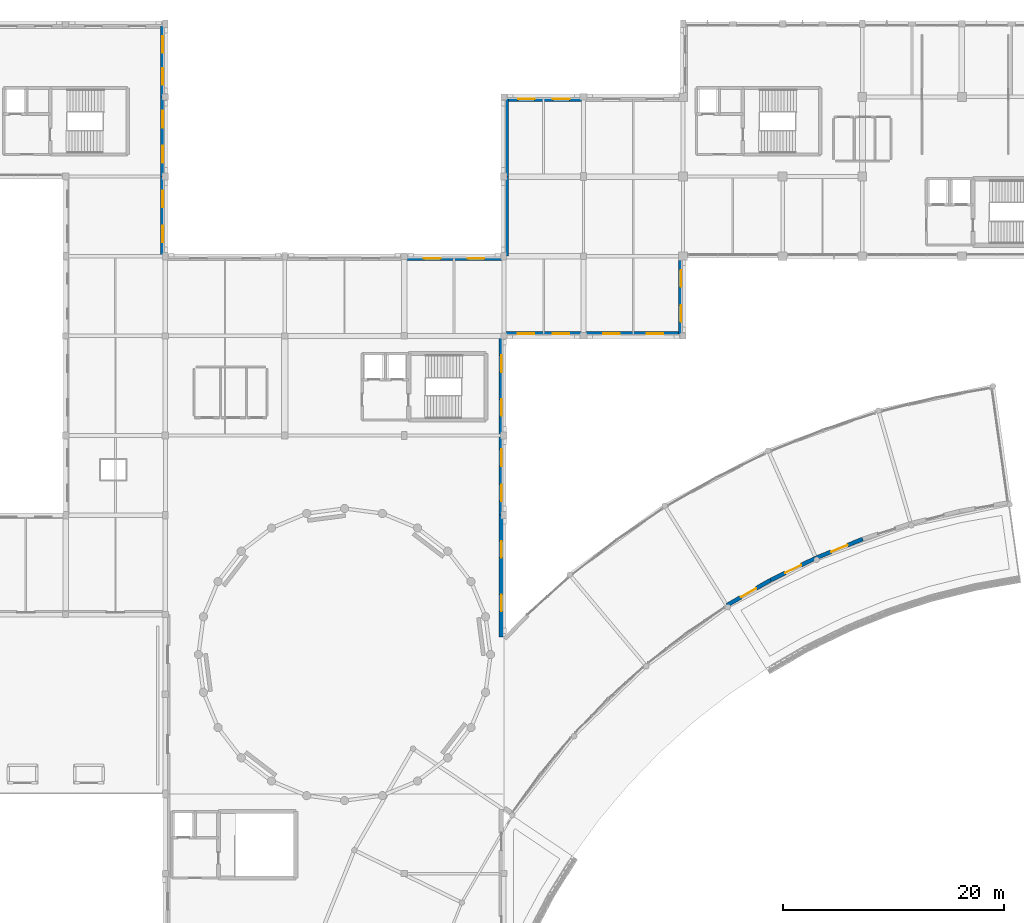
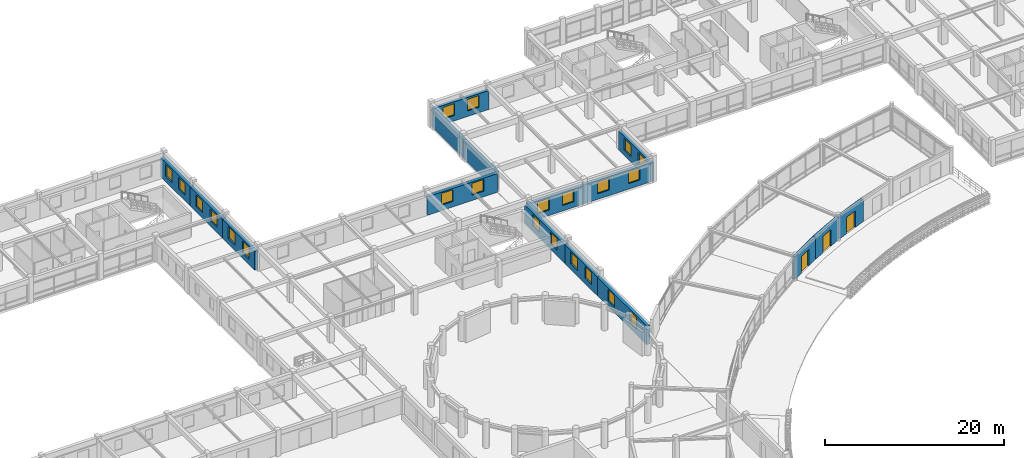
# One storey, part 56 of 74: 22 windows, 16 walls, 3 doors, 25 openings.
"""IFC4 building model written with IfcOpenShell, lengths in metres."""

from ifc_helpers import new_model, si_unit, direction, frame, frame_2d, origin, place, context, subcontext, project, spatial, rectangle, extrude, material, layer, layer_set, type_object, element, fill, save


model = new_model("IFC4")

# Units and contexts
model_context = context("Model", 3, precision=1e-05, world=origin(), true_north=direction((0.0, 1.0)))
body_context = subcontext(model_context, "Body", "Model", "MODEL_VIEW")
ifc_project = project(units=[si_unit("LENGTHUNIT", "METRE"), si_unit("AREAUNIT", "SQUARE_METRE"), si_unit("VOLUMEUNIT", "CUBIC_METRE"), si_unit("PLANEANGLEUNIT", "RADIAN"), si_unit("MASSUNIT", "GRAM", prefix="KILO")], contexts=[model_context])

# Site, building, storey
site_placement = place(None, origin())
site = spatial("IfcSite", under=ifc_project, at=site_placement, CompositionType="ELEMENT")
building_placement = place(site_placement, origin())
building = spatial("IfcBuilding", under=site, at=building_placement, Name="Clarverna Civic Hall", CompositionType="ELEMENT")
storey_placement = place(building_placement, frame((0.0, 0.0, 9.60009765625)))
storey = spatial("IfcBuildingStorey", under=building, at=storey_placement, Name="L02", CompositionType="ELEMENT", Elevation=9.60009765625)

# Wall, openings, windows
ifc_material_1 = material(Name="Montjuic Limestone Ashlar Cladding", Category="masonry")
ifc_layer_1 = layer(ifc_material_1, 0.39990234375)
ifc_layer_set_1 = layer_set([ifc_layer_1], Name="Montjuic Limestone Ashlar Cladding")
wall_type_1 = type_object("IfcWallType", Name="EW-02", PredefinedType="SOLIDWALL", material=ifc_layer_set_1)
wall_1_placement = place(storey_placement, frame((66.375, 116.0, 0.0), z_axis=(0.0, 0.0, 1.0), x_axis=(0.0, -1.0, 0.0)))
wall_1 = element("IfcWall", 1, at=wall_1_placement, inside=storey, type_object=wall_type_1, Name="EW-02-092", PredefinedType="SOLIDWALL", context=body_context, shape_type="SweptSolid", body=[
    extrude(rectangle(XDim=6.60009765625, YDim=0.39990234375, at=frame_2d((3.300048828125, 0.0))), origin(), (0.0, 0.0, 1.0), 2.599853515625),
])
opening_1_placement = place(wall_1_placement, frame((1.097900390625, 0.0, 0.75)))
opening_1 = element("IfcOpeningElement", 2, at=opening_1_placement, cuts=wall_1, Name="Opening WN-14", PredefinedType="OPENING", context=body_context, shape_type="SweptSolid", body=[
    extrude(rectangle(XDim=1.5, YDim=1.60009765625, at=frame_2d((0.75, 0.800048828125))), frame((0.0, 0.2099609375, 0.0), z_axis=(0.0, -1.0, 0.0), x_axis=(1.0, 0.0, 0.0)), (0.0, 0.0, 1.0), 0.419921875),
])
opening_2_placement = place(wall_1_placement, frame((4.001953125, 0.0, 0.75)))
opening_2 = element("IfcOpeningElement", 3, at=opening_2_placement, cuts=wall_1, Name="Opening WN-14", PredefinedType="OPENING", context=body_context, shape_type="SweptSolid", body=[
    extrude(rectangle(XDim=1.5, YDim=1.60009765625, at=frame_2d((0.75, 0.800048828125))), frame((0.0, 0.2099609375, 0.0), z_axis=(0.0, -1.0, 0.0), x_axis=(1.0, 0.0, 0.0)), (0.0, 0.0, 1.0), 0.419921875),
])
ifc_material_2 = material(Name="Solar-Control Argon Low-E Double Glazing", Category="glass")
window_type = type_object("IfcWindowType", Name="WN-14", PartitioningType="DOUBLE_PANEL_HORIZONTAL", PredefinedType="WINDOW", material=ifc_material_2)
window_1_placement = place(opening_1_placement, origin())
window_1 = element("IfcWindow", 4, at=window_1_placement, inside=storey, type_object=window_type, Name="WN-14-036", OverallHeight=1.60009765625, OverallWidth=1.5, PartitioningType="DOUBLE_PANEL_HORIZONTAL", PredefinedType="WINDOW", context=body_context, shape_type="SweptSolid", body=[
    extrude(rectangle(XDim=1.5, YDim=1.60009765625, at=frame_2d((0.75, 0.800048828125))), frame((0.0, 0.030029296875, 0.0), z_axis=(0.0, -1.0, 0.0), x_axis=(1.0, 0.0, 0.0)), (0.0, 0.0, 1.0), 0.06005859375),
])
fill(opening_1, window_1)
window_2_placement = place(opening_2_placement, origin())
window_2 = element("IfcWindow", 5, at=window_2_placement, inside=storey, type_object=window_type, Name="WN-14-037", OverallHeight=1.60009765625, OverallWidth=1.5, PartitioningType="DOUBLE_PANEL_HORIZONTAL", PredefinedType="WINDOW", context=body_context, shape_type="SweptSolid", body=[
    extrude(rectangle(XDim=1.5, YDim=1.60009765625, at=frame_2d((0.75, 0.800048828125))), frame((0.0, 0.030029296875, 0.0), z_axis=(0.0, -1.0, 0.0), x_axis=(1.0, 0.0, 0.0)), (0.0, 0.0, 1.0), 0.06005859375),
])
fill(opening_2, window_2)

wall_2_placement = place(storey_placement, frame((66.375, 109.39990234375, 0.0), z_axis=(0.0, 0.0, 1.0), x_axis=(0.0, -1.0, 0.0)))
wall_2 = element("IfcWall", 6, at=wall_2_placement, inside=storey, type_object=wall_type_1, Name="EW-02-093", PredefinedType="SOLIDWALL", context=body_context, shape_type="SweptSolid", body=[
    extrude(rectangle(XDim=7.199951171875, YDim=0.39990234375, at=frame_2d((3.60009765625, 0.0))), origin(), (0.0, 0.0, 1.0), 2.599853515625),
])
opening_3_placement = place(wall_2_placement, frame((1.26611328125, 0.0, 0.75)))
opening_3 = element("IfcOpeningElement", 7, at=opening_3_placement, cuts=wall_2, Name="Opening WN-14", PredefinedType="OPENING", context=body_context, shape_type="SweptSolid", body=[
    extrude(rectangle(XDim=1.5, YDim=1.60009765625, at=frame_2d((0.75, 0.800048828125))), frame((0.0, 0.2099609375, 0.0), z_axis=(0.0, -1.0, 0.0), x_axis=(1.0, 0.0, 0.0)), (0.0, 0.0, 1.0), 0.419921875),
])
opening_4_placement = place(wall_2_placement, frame((4.43408203125, 0.0, 0.75)))
opening_4 = element("IfcOpeningElement", 8, at=opening_4_placement, cuts=wall_2, Name="Opening WN-14", PredefinedType="OPENING", context=body_context, shape_type="SweptSolid", body=[
    extrude(rectangle(XDim=1.5, YDim=1.60009765625, at=frame_2d((0.75, 0.800048828125))), frame((0.0, 0.2099609375, 0.0), z_axis=(0.0, -1.0, 0.0), x_axis=(1.0, 0.0, 0.0)), (0.0, 0.0, 1.0), 0.419921875),
])
window_3_placement = place(opening_3_placement, origin())
window_3 = element("IfcWindow", 9, at=window_3_placement, inside=storey, type_object=window_type, Name="WN-14-038", OverallHeight=1.60009765625, OverallWidth=1.5, PartitioningType="DOUBLE_PANEL_HORIZONTAL", PredefinedType="WINDOW", context=body_context, shape_type="SweptSolid", body=[
    extrude(rectangle(XDim=1.5, YDim=1.60009765625, at=frame_2d((0.75, 0.800048828125))), frame((0.0, 0.030029296875, 0.0), z_axis=(0.0, -1.0, 0.0), x_axis=(1.0, 0.0, 0.0)), (0.0, 0.0, 1.0), 0.06005859375),
])
fill(opening_3, window_3)
window_4_placement = place(opening_4_placement, origin())
window_4 = element("IfcWindow", 10, at=window_4_placement, inside=storey, type_object=window_type, Name="WN-14-039", OverallHeight=1.60009765625, OverallWidth=1.5, PartitioningType="DOUBLE_PANEL_HORIZONTAL", PredefinedType="WINDOW", context=body_context, shape_type="SweptSolid", body=[
    extrude(rectangle(XDim=1.5, YDim=1.60009765625, at=frame_2d((0.75, 0.800048828125))), frame((0.0, 0.030029296875, 0.0), z_axis=(0.0, -1.0, 0.0), x_axis=(1.0, 0.0, 0.0)), (0.0, 0.0, 1.0), 0.06005859375),
])
fill(opening_4, window_4)

wall_3_placement = place(storey_placement, frame((66.375, 102.199951171875, 0.0), z_axis=(0.0, 0.0, 1.0), x_axis=(0.0, -1.0, 0.0)))
wall_3 = element("IfcWall", 11, at=wall_3_placement, inside=storey, type_object=wall_type_1, Name="EW-02-094", PredefinedType="SOLIDWALL", context=body_context, shape_type="SweptSolid", body=[
    extrude(rectangle(XDim=7.199951171875, YDim=0.39990234375, at=frame_2d((3.60009765625, 0.0))), origin(), (0.0, 0.0, 1.0), 2.559814453125),
])
opening_5_placement = place(wall_3_placement, frame((1.26611328125, 0.0, 0.75)))
opening_5 = element("IfcOpeningElement", 12, at=opening_5_placement, cuts=wall_3, Name="Opening WN-14", PredefinedType="OPENING", context=body_context, shape_type="SweptSolid", body=[
    extrude(rectangle(XDim=1.5, YDim=1.60009765625, at=frame_2d((0.75, 0.800048828125))), frame((0.0, 0.2099609375, 0.0), z_axis=(0.0, -1.0, 0.0), x_axis=(1.0, 0.0, 0.0)), (0.0, 0.0, 1.0), 0.419921875),
])
opening_6_placement = place(wall_3_placement, frame((4.43408203125, 0.0, 0.75)))
opening_6 = element("IfcOpeningElement", 13, at=opening_6_placement, cuts=wall_3, Name="Opening WN-14", PredefinedType="OPENING", context=body_context, shape_type="SweptSolid", body=[
    extrude(rectangle(XDim=1.5, YDim=1.60009765625, at=frame_2d((0.75, 0.800048828125))), frame((0.0, 0.2099609375, 0.0), z_axis=(0.0, -1.0, 0.0), x_axis=(1.0, 0.0, 0.0)), (0.0, 0.0, 1.0), 0.419921875),
])
window_5_placement = place(opening_5_placement, origin())
window_5 = element("IfcWindow", 14, at=window_5_placement, inside=storey, type_object=window_type, Name="WN-14-040", OverallHeight=1.60009765625, OverallWidth=1.5, PartitioningType="DOUBLE_PANEL_HORIZONTAL", PredefinedType="WINDOW", context=body_context, shape_type="SweptSolid", body=[
    extrude(rectangle(XDim=1.5, YDim=1.60009765625, at=frame_2d((0.75, 0.800048828125))), frame((0.0, 0.030029296875, 0.0), z_axis=(0.0, -1.0, 0.0), x_axis=(1.0, 0.0, 0.0)), (0.0, 0.0, 1.0), 0.06005859375),
])
fill(opening_5, window_5)
window_6_placement = place(opening_6_placement, origin())
window_6 = element("IfcWindow", 15, at=window_6_placement, inside=storey, type_object=window_type, Name="WN-14-041", OverallHeight=1.60009765625, OverallWidth=1.5, PartitioningType="DOUBLE_PANEL_HORIZONTAL", PredefinedType="WINDOW", context=body_context, shape_type="SweptSolid", body=[
    extrude(rectangle(XDim=1.5, YDim=1.60009765625, at=frame_2d((0.75, 0.800048828125))), frame((0.0, 0.030029296875, 0.0), z_axis=(0.0, -1.0, 0.0), x_axis=(1.0, 0.0, 0.0)), (0.0, 0.0, 1.0), 0.06005859375),
])
fill(opening_6, window_6)

wall_4_placement = place(storey_placement, frame((88.199951171875, 94.800048828125, 0.0), z_axis=(0.0, 0.0, 1.0), x_axis=(1.0, 0.0, 0.0)))
wall_4 = element("IfcWall", 16, at=wall_4_placement, inside=storey, type_object=wall_type_1, Name="EW-02-097", PredefinedType="SOLIDWALL", context=body_context, shape_type="SweptSolid", body=[
    extrude(rectangle(XDim=9.025146484375, YDim=0.39990234375, at=frame_2d((4.5126953125, 0.0))), origin(), (0.0, 0.0, 1.0), 2.52978515625),
])
opening_7_placement = place(wall_4_placement, frame((1.777099609375, 0.0, 0.75)))
opening_7 = element("IfcOpeningElement", 17, at=opening_7_placement, cuts=wall_4, Name="Opening WN-14", PredefinedType="OPENING", context=body_context, shape_type="SweptSolid", body=[
    extrude(rectangle(XDim=1.5, YDim=1.60009765625, at=frame_2d((0.75, 0.800048828125))), frame((0.0, 0.2099609375, 0.0), z_axis=(0.0, -1.0, 0.0), x_axis=(1.0, 0.0, 0.0)), (0.0, 0.0, 1.0), 0.419921875),
])
opening_8_placement = place(wall_4_placement, frame((5.748046875, 0.0, 0.75)))
opening_8 = element("IfcOpeningElement", 18, at=opening_8_placement, cuts=wall_4, Name="Opening WN-14", PredefinedType="OPENING", context=body_context, shape_type="SweptSolid", body=[
    extrude(rectangle(XDim=1.5, YDim=1.60009765625, at=frame_2d((0.75, 0.800048828125))), frame((0.0, 0.2099609375, 0.0), z_axis=(0.0, -1.0, 0.0), x_axis=(1.0, 0.0, 0.0)), (0.0, 0.0, 1.0), 0.419921875),
])
window_7_placement = place(opening_7_placement, origin())
window_7 = element("IfcWindow", 19, at=window_7_placement, inside=storey, type_object=window_type, Name="WN-14-046", OverallHeight=1.60009765625, OverallWidth=1.5, PartitioningType="DOUBLE_PANEL_HORIZONTAL", PredefinedType="WINDOW", context=body_context, shape_type="SweptSolid", body=[
    extrude(rectangle(XDim=1.5, YDim=1.60009765625, at=frame_2d((0.75, 0.800048828125))), frame((0.0, 0.030029296875, 0.0), z_axis=(0.0, -1.0, 0.0), x_axis=(1.0, 0.0, 0.0)), (0.0, 0.0, 1.0), 0.06005859375),
])
fill(opening_7, window_7)
window_8_placement = place(opening_8_placement, origin())
window_8 = element("IfcWindow", 20, at=window_8_placement, inside=storey, type_object=window_type, Name="WN-14-047", OverallHeight=1.60009765625, OverallWidth=1.5, PartitioningType="DOUBLE_PANEL_HORIZONTAL", PredefinedType="WINDOW", context=body_context, shape_type="SweptSolid", body=[
    extrude(rectangle(XDim=1.5, YDim=1.60009765625, at=frame_2d((0.75, 0.800048828125))), frame((0.0, 0.030029296875, 0.0), z_axis=(0.0, -1.0, 0.0), x_axis=(1.0, 0.0, 0.0)), (0.0, 0.0, 1.0), 0.06005859375),
])
fill(opening_8, window_8)

# Walls
for number, where, z_axis, x_axis, name in (
    (21, (97.425048828125, 95.0, 0.0), (0.0, 0.0, 1.0), (0.0, 1.0, 0.0), "EW-02-098"),
    (22, (97.425048828125, 102.199951171875, 0.0), (0.0, 0.0, 1.0), (0.0, 1.0, 0.0), "EW-02-099"),
):
    element("IfcWall", number, at=place(storey_placement, frame(where, z_axis=z_axis, x_axis=x_axis)), inside=storey, type_object=wall_type_1, Name=name, PredefinedType="SOLIDWALL", context=body_context, shape_type="SweptSolid", body=[
        extrude(rectangle(XDim=7.199951171875, YDim=0.39990234375, at=frame_2d((3.60009765625, 0.0))), origin(), (0.0, 0.0, 1.0), 2.52001953125),
    ])

# Wall, openings, windows
wall_5_placement = place(storey_placement, frame((97.22509765625, 109.199951171875, 0.0), z_axis=(0.0, 0.0, 1.0), x_axis=(1.0, 0.0, 0.0)))
wall_5 = element("IfcWall", 23, at=wall_5_placement, inside=storey, type_object=wall_type_1, Name="EW-02-100", PredefinedType="SOLIDWALL", context=body_context, shape_type="SweptSolid", body=[
    extrude(rectangle(XDim=7.1748046875, YDim=0.39990234375, at=frame_2d((3.58740234375, 0.0))), origin(), (0.0, 0.0, 1.0), 2.599853515625),
])
opening_9_placement = place(wall_5_placement, frame((1.259033203125, 0.0, 0.75)))
opening_9 = element("IfcOpeningElement", 24, at=opening_9_placement, cuts=wall_5, Name="Opening WN-14", PredefinedType="OPENING", context=body_context, shape_type="SweptSolid", body=[
    extrude(rectangle(XDim=1.5, YDim=1.60009765625, at=frame_2d((0.75, 0.800048828125))), frame((0.0, 0.2099609375, 0.0), z_axis=(0.0, -1.0, 0.0), x_axis=(1.0, 0.0, 0.0)), (0.0, 0.0, 1.0), 0.419921875),
])
opening_10_placement = place(wall_5_placement, frame((4.416015625, 0.0, 0.75)))
opening_10 = element("IfcOpeningElement", 25, at=opening_10_placement, cuts=wall_5, Name="Opening WN-14", PredefinedType="OPENING", context=body_context, shape_type="SweptSolid", body=[
    extrude(rectangle(XDim=1.5, YDim=1.60009765625, at=frame_2d((0.75, 0.800048828125))), frame((0.0, 0.2099609375, 0.0), z_axis=(0.0, -1.0, 0.0), x_axis=(1.0, 0.0, 0.0)), (0.0, 0.0, 1.0), 0.419921875),
])
window_9_placement = place(opening_9_placement, origin())
window_9 = element("IfcWindow", 26, at=window_9_placement, inside=storey, type_object=window_type, Name="WN-14-048", OverallHeight=1.60009765625, OverallWidth=1.5, PartitioningType="DOUBLE_PANEL_HORIZONTAL", PredefinedType="WINDOW", context=body_context, shape_type="SweptSolid", body=[
    extrude(rectangle(XDim=1.5, YDim=1.60009765625, at=frame_2d((0.75, 0.800048828125))), frame((0.0, 0.030029296875, 0.0), z_axis=(0.0, -1.0, 0.0), x_axis=(1.0, 0.0, 0.0)), (0.0, 0.0, 1.0), 0.06005859375),
])
fill(opening_9, window_9)
window_10_placement = place(opening_10_placement, origin())
window_10 = element("IfcWindow", 27, at=window_10_placement, inside=storey, type_object=window_type, Name="WN-14-049", OverallHeight=1.60009765625, OverallWidth=1.5, PartitioningType="DOUBLE_PANEL_HORIZONTAL", PredefinedType="WINDOW", context=body_context, shape_type="SweptSolid", body=[
    extrude(rectangle(XDim=1.5, YDim=1.60009765625, at=frame_2d((0.75, 0.800048828125))), frame((0.0, 0.030029296875, 0.0), z_axis=(0.0, -1.0, 0.0), x_axis=(1.0, 0.0, 0.0)), (0.0, 0.0, 1.0), 0.06005859375),
])
fill(opening_10, window_10)

wall_6_placement = place(storey_placement, frame((113.199951171875, 95.0, 0.0), z_axis=(0.0, 0.0, 1.0), x_axis=(0.0, -1.0, 0.0)))
wall_6 = element("IfcWall", 28, at=wall_6_placement, inside=storey, type_object=wall_type_1, Name="EW-02-107", PredefinedType="SOLIDWALL", context=body_context, shape_type="SweptSolid", body=[
    extrude(rectangle(XDim=7.199951171875, YDim=0.39990234375, at=frame_2d((3.60009765625, 0.0))), origin(), (0.0, 0.0, 1.0), 2.599853515625),
])
opening_11_placement = place(wall_6_placement, frame((1.26611328125, 0.0, 0.75)))
opening_11 = element("IfcOpeningElement", 29, at=opening_11_placement, cuts=wall_6, Name="Opening WN-14", PredefinedType="OPENING", context=body_context, shape_type="SweptSolid", body=[
    extrude(rectangle(XDim=1.5, YDim=1.60009765625, at=frame_2d((0.75, 0.800048828125))), frame((0.0, 0.2099609375, 0.0), z_axis=(0.0, -1.0, 0.0), x_axis=(1.0, 0.0, 0.0)), (0.0, 0.0, 1.0), 0.419921875),
])
opening_12_placement = place(wall_6_placement, frame((4.43408203125, 0.0, 0.75)))
opening_12 = element("IfcOpeningElement", 30, at=opening_12_placement, cuts=wall_6, Name="Opening WN-14", PredefinedType="OPENING", context=body_context, shape_type="SweptSolid", body=[
    extrude(rectangle(XDim=1.5, YDim=1.60009765625, at=frame_2d((0.75, 0.800048828125))), frame((0.0, 0.2099609375, 0.0), z_axis=(0.0, -1.0, 0.0), x_axis=(1.0, 0.0, 0.0)), (0.0, 0.0, 1.0), 0.419921875),
])
window_11_placement = place(opening_11_placement, origin())
window_11 = element("IfcWindow", 31, at=window_11_placement, inside=storey, type_object=window_type, Name="WN-14-060", OverallHeight=1.60009765625, OverallWidth=1.5, PartitioningType="DOUBLE_PANEL_HORIZONTAL", PredefinedType="WINDOW", context=body_context, shape_type="SweptSolid", body=[
    extrude(rectangle(XDim=1.5, YDim=1.60009765625, at=frame_2d((0.75, 0.800048828125))), frame((0.0, 0.030029296875, 0.0), z_axis=(0.0, -1.0, 0.0), x_axis=(1.0, 0.0, 0.0)), (0.0, 0.0, 1.0), 0.06005859375),
])
fill(opening_11, window_11)
window_12_placement = place(opening_12_placement, origin())
window_12 = element("IfcWindow", 32, at=window_12_placement, inside=storey, type_object=window_type, Name="WN-14-061", OverallHeight=1.60009765625, OverallWidth=1.5, PartitioningType="DOUBLE_PANEL_HORIZONTAL", PredefinedType="WINDOW", context=body_context, shape_type="SweptSolid", body=[
    extrude(rectangle(XDim=1.5, YDim=1.60009765625, at=frame_2d((0.75, 0.800048828125))), frame((0.0, 0.030029296875, 0.0), z_axis=(0.0, -1.0, 0.0), x_axis=(1.0, 0.0, 0.0)), (0.0, 0.0, 1.0), 0.06005859375),
])
fill(opening_12, window_12)

wall_7_placement = place(storey_placement, frame((113.39990234375, 88.0, 0.0), z_axis=(0.0, 0.0, 1.0), x_axis=(-1.0, 0.0, 0.0)))
wall_7 = element("IfcWall", 33, at=wall_7_placement, inside=storey, type_object=wall_type_1, Name="EW-02-108", PredefinedType="SOLIDWALL", context=body_context, shape_type="SweptSolid", body=[
    extrude(rectangle(XDim=9.0, YDim=0.39990234375, at=frame_2d((4.5, 0.0))), origin(), (0.0, 0.0, 1.0), 2.599853515625),
])
opening_13_placement = place(wall_7_placement, frame((1.77001953125, 0.0, 0.75)))
opening_13 = element("IfcOpeningElement", 34, at=opening_13_placement, cuts=wall_7, Name="Opening WN-14", PredefinedType="OPENING", context=body_context, shape_type="SweptSolid", body=[
    extrude(rectangle(XDim=1.5, YDim=1.60009765625, at=frame_2d((0.75, 0.800048828125))), frame((0.0, 0.2099609375, 0.0), z_axis=(0.0, -1.0, 0.0), x_axis=(1.0, 0.0, 0.0)), (0.0, 0.0, 1.0), 0.419921875),
])
opening_14_placement = place(wall_7_placement, frame((5.72998046875, 0.0, 0.75)))
opening_14 = element("IfcOpeningElement", 35, at=opening_14_placement, cuts=wall_7, Name="Opening WN-14", PredefinedType="OPENING", context=body_context, shape_type="SweptSolid", body=[
    extrude(rectangle(XDim=1.5, YDim=1.60009765625, at=frame_2d((0.75, 0.800048828125))), frame((0.0, 0.2099609375, 0.0), z_axis=(0.0, -1.0, 0.0), x_axis=(1.0, 0.0, 0.0)), (0.0, 0.0, 1.0), 0.419921875),
])
window_13_placement = place(opening_13_placement, origin())
window_13 = element("IfcWindow", 36, at=window_13_placement, inside=storey, type_object=window_type, Name="WN-14-062", OverallHeight=1.60009765625, OverallWidth=1.5, PartitioningType="DOUBLE_PANEL_HORIZONTAL", PredefinedType="WINDOW", context=body_context, shape_type="SweptSolid", body=[
    extrude(rectangle(XDim=1.5, YDim=1.60009765625, at=frame_2d((0.75, 0.800048828125))), frame((0.0, 0.030029296875, 0.0), z_axis=(0.0, -1.0, 0.0), x_axis=(1.0, 0.0, 0.0)), (0.0, 0.0, 1.0), 0.06005859375),
])
fill(opening_13, window_13)
window_14_placement = place(opening_14_placement, origin())
window_14 = element("IfcWindow", 37, at=window_14_placement, inside=storey, type_object=window_type, Name="WN-14-063", OverallHeight=1.60009765625, OverallWidth=1.5, PartitioningType="DOUBLE_PANEL_HORIZONTAL", PredefinedType="WINDOW", context=body_context, shape_type="SweptSolid", body=[
    extrude(rectangle(XDim=1.5, YDim=1.60009765625, at=frame_2d((0.75, 0.800048828125))), frame((0.0, 0.030029296875, 0.0), z_axis=(0.0, -1.0, 0.0), x_axis=(1.0, 0.0, 0.0)), (0.0, 0.0, 1.0), 0.06005859375),
])
fill(opening_14, window_14)

wall_8_placement = place(storey_placement, frame((104.39990234375, 88.0, 0.0), z_axis=(0.0, 0.0, 1.0), x_axis=(-1.0, 0.0, 0.0)))
wall_8 = element("IfcWall", 38, at=wall_8_placement, inside=storey, type_object=wall_type_1, Name="EW-02-109", PredefinedType="SOLIDWALL", context=body_context, shape_type="SweptSolid", body=[
    extrude(rectangle(XDim=7.224853515625, YDim=0.39990234375, at=frame_2d((3.6123046875, 0.0))), origin(), (0.0, 0.0, 1.0), 2.52978515625),
])
opening_15_placement = place(wall_8_placement, frame((1.27294921875, 0.0, 0.75)))
opening_15 = element("IfcOpeningElement", 39, at=opening_15_placement, cuts=wall_8, Name="Opening WN-14", PredefinedType="OPENING", context=body_context, shape_type="SweptSolid", body=[
    extrude(rectangle(XDim=1.5, YDim=1.60009765625, at=frame_2d((0.75, 0.800048828125))), frame((0.0, 0.2099609375, 0.0), z_axis=(0.0, -1.0, 0.0), x_axis=(1.0, 0.0, 0.0)), (0.0, 0.0, 1.0), 0.419921875),
])
opening_16_placement = place(wall_8_placement, frame((4.451904296875, 0.0, 0.75)))
opening_16 = element("IfcOpeningElement", 40, at=opening_16_placement, cuts=wall_8, Name="Opening WN-14", PredefinedType="OPENING", context=body_context, shape_type="SweptSolid", body=[
    extrude(rectangle(XDim=1.5, YDim=1.60009765625, at=frame_2d((0.75, 0.800048828125))), frame((0.0, 0.2099609375, 0.0), z_axis=(0.0, -1.0, 0.0), x_axis=(1.0, 0.0, 0.0)), (0.0, 0.0, 1.0), 0.419921875),
])
window_15_placement = place(opening_15_placement, origin())
window_15 = element("IfcWindow", 41, at=window_15_placement, inside=storey, type_object=window_type, Name="WN-14-064", OverallHeight=1.60009765625, OverallWidth=1.5, PartitioningType="DOUBLE_PANEL_HORIZONTAL", PredefinedType="WINDOW", context=body_context, shape_type="SweptSolid", body=[
    extrude(rectangle(XDim=1.5, YDim=1.60009765625, at=frame_2d((0.75, 0.800048828125))), frame((0.0, 0.030029296875, 0.0), z_axis=(0.0, -1.0, 0.0), x_axis=(1.0, 0.0, 0.0)), (0.0, 0.0, 1.0), 0.06005859375),
])
fill(opening_15, window_15)
window_16_placement = place(opening_16_placement, origin())
window_16 = element("IfcWindow", 42, at=window_16_placement, inside=storey, type_object=window_type, Name="WN-14-065", OverallHeight=1.60009765625, OverallWidth=1.5, PartitioningType="DOUBLE_PANEL_HORIZONTAL", PredefinedType="WINDOW", context=body_context, shape_type="SweptSolid", body=[
    extrude(rectangle(XDim=1.5, YDim=1.60009765625, at=frame_2d((0.75, 0.800048828125))), frame((0.0, 0.030029296875, 0.0), z_axis=(0.0, -1.0, 0.0), x_axis=(1.0, 0.0, 0.0)), (0.0, 0.0, 1.0), 0.06005859375),
])
fill(opening_16, window_16)

wall_9_placement = place(storey_placement, frame((96.97509765625, 87.800048828125, 0.0), z_axis=(0.0, 0.0, 1.0), x_axis=(0.0, -1.0, 0.0)))
wall_9 = element("IfcWall", 43, at=wall_9_placement, inside=storey, type_object=wall_type_1, Name="EW-02-110", PredefinedType="SOLIDWALL", context=body_context, shape_type="SweptSolid", body=[
    extrude(rectangle(XDim=9.0, YDim=0.39990234375, at=frame_2d((4.5, 0.0))), origin(), (0.0, 0.0, 1.0), 2.52978515625),
])
opening_17_placement = place(wall_9_placement, frame((1.77001953125, 0.0, 0.75)))
opening_17 = element("IfcOpeningElement", 44, at=opening_17_placement, cuts=wall_9, Name="Opening WN-14", PredefinedType="OPENING", context=body_context, shape_type="SweptSolid", body=[
    extrude(rectangle(XDim=1.5, YDim=1.60009765625, at=frame_2d((0.75, 0.800048828125))), frame((0.0, 0.2099609375, 0.0), z_axis=(0.0, -1.0, 0.0), x_axis=(1.0, 0.0, 0.0)), (0.0, 0.0, 1.0), 0.419921875),
])
opening_18_placement = place(wall_9_placement, frame((5.72998046875, 0.0, 0.75)))
opening_18 = element("IfcOpeningElement", 45, at=opening_18_placement, cuts=wall_9, Name="Opening WN-14", PredefinedType="OPENING", context=body_context, shape_type="SweptSolid", body=[
    extrude(rectangle(XDim=1.5, YDim=1.60009765625, at=frame_2d((0.75, 0.800048828125))), frame((0.0, 0.2099609375, 0.0), z_axis=(0.0, -1.0, 0.0), x_axis=(1.0, 0.0, 0.0)), (0.0, 0.0, 1.0), 0.419921875),
])
window_17_placement = place(opening_17_placement, origin())
window_17 = element("IfcWindow", 46, at=window_17_placement, inside=storey, type_object=window_type, Name="WN-14-066", OverallHeight=1.60009765625, OverallWidth=1.5, PartitioningType="DOUBLE_PANEL_HORIZONTAL", PredefinedType="WINDOW", context=body_context, shape_type="SweptSolid", body=[
    extrude(rectangle(XDim=1.5, YDim=1.60009765625, at=frame_2d((0.75, 0.800048828125))), frame((0.0, 0.030029296875, 0.0), z_axis=(0.0, -1.0, 0.0), x_axis=(1.0, 0.0, 0.0)), (0.0, 0.0, 1.0), 0.06005859375),
])
fill(opening_17, window_17)
window_18_placement = place(opening_18_placement, origin())
window_18 = element("IfcWindow", 47, at=window_18_placement, inside=storey, type_object=window_type, Name="WN-14-067", OverallHeight=1.60009765625, OverallWidth=1.5, PartitioningType="DOUBLE_PANEL_HORIZONTAL", PredefinedType="WINDOW", context=body_context, shape_type="SweptSolid", body=[
    extrude(rectangle(XDim=1.5, YDim=1.60009765625, at=frame_2d((0.75, 0.800048828125))), frame((0.0, 0.030029296875, 0.0), z_axis=(0.0, -1.0, 0.0), x_axis=(1.0, 0.0, 0.0)), (0.0, 0.0, 1.0), 0.06005859375),
])
fill(opening_18, window_18)

wall_10_placement = place(storey_placement, frame((96.97509765625, 78.800048828125, 0.0), z_axis=(0.0, 0.0, 1.0), x_axis=(0.0, -1.0, 0.0)))
wall_10 = element("IfcWall", 48, at=wall_10_placement, inside=storey, type_object=wall_type_1, Name="EW-02-111", PredefinedType="SOLIDWALL", context=body_context, shape_type="SweptSolid", body=[
    extrude(rectangle(XDim=7.199951171875, YDim=0.39990234375, at=frame_2d((3.60009765625, 0.0))), origin(), (0.0, 0.0, 1.0), 2.559814453125),
])
opening_19_placement = place(wall_10_placement, frame((1.26611328125, 0.0, 0.75)))
opening_19 = element("IfcOpeningElement", 49, at=opening_19_placement, cuts=wall_10, Name="Opening WN-14", PredefinedType="OPENING", context=body_context, shape_type="SweptSolid", body=[
    extrude(rectangle(XDim=1.5, YDim=1.60009765625, at=frame_2d((0.75, 0.800048828125))), frame((0.0, 0.2099609375, 0.0), z_axis=(0.0, -1.0, 0.0), x_axis=(1.0, 0.0, 0.0)), (0.0, 0.0, 1.0), 0.419921875),
])
opening_20_placement = place(wall_10_placement, frame((4.43408203125, 0.0, 0.75)))
opening_20 = element("IfcOpeningElement", 50, at=opening_20_placement, cuts=wall_10, Name="Opening WN-14", PredefinedType="OPENING", context=body_context, shape_type="SweptSolid", body=[
    extrude(rectangle(XDim=1.5, YDim=1.60009765625, at=frame_2d((0.75, 0.800048828125))), frame((0.0, 0.2099609375, 0.0), z_axis=(0.0, -1.0, 0.0), x_axis=(1.0, 0.0, 0.0)), (0.0, 0.0, 1.0), 0.419921875),
])
window_19_placement = place(opening_19_placement, origin())
window_19 = element("IfcWindow", 51, at=window_19_placement, inside=storey, type_object=window_type, Name="WN-14-068", OverallHeight=1.60009765625, OverallWidth=1.5, PartitioningType="DOUBLE_PANEL_HORIZONTAL", PredefinedType="WINDOW", context=body_context, shape_type="SweptSolid", body=[
    extrude(rectangle(XDim=1.5, YDim=1.60009765625, at=frame_2d((0.75, 0.800048828125))), frame((0.0, 0.030029296875, 0.0), z_axis=(0.0, -1.0, 0.0), x_axis=(1.0, 0.0, 0.0)), (0.0, 0.0, 1.0), 0.06005859375),
])
fill(opening_19, window_19)
window_20_placement = place(opening_20_placement, origin())
window_20 = element("IfcWindow", 52, at=window_20_placement, inside=storey, type_object=window_type, Name="WN-14-069", OverallHeight=1.60009765625, OverallWidth=1.5, PartitioningType="DOUBLE_PANEL_HORIZONTAL", PredefinedType="WINDOW", context=body_context, shape_type="SweptSolid", body=[
    extrude(rectangle(XDim=1.5, YDim=1.60009765625, at=frame_2d((0.75, 0.800048828125))), frame((0.0, 0.030029296875, 0.0), z_axis=(0.0, -1.0, 0.0), x_axis=(1.0, 0.0, 0.0)), (0.0, 0.0, 1.0), 0.06005859375),
])
fill(opening_20, window_20)

wall_11_placement = place(storey_placement, frame((96.97509765625, 71.60009765625, 0.0), z_axis=(0.0, 0.0, 1.0), x_axis=(0.0, -1.0, 0.0)))
wall_11 = element("IfcWall", 53, at=wall_11_placement, inside=storey, type_object=wall_type_1, Name="EW-02-112", PredefinedType="SOLIDWALL", context=body_context, shape_type="SweptSolid", body=[
    extrude(rectangle(XDim=11.033447265625, YDim=0.39990234375, at=frame_2d((5.5166015625, 0.0))), origin(), (0.0, 0.0, 1.0), 2.559814453125),
])
opening_21_placement = place(wall_11_placement, frame((2.33935546875, 0.0, 0.75)))
opening_21 = element("IfcOpeningElement", 54, at=opening_21_placement, cuts=wall_11, Name="Opening WN-14", PredefinedType="OPENING", context=body_context, shape_type="SweptSolid", body=[
    extrude(rectangle(XDim=1.5, YDim=1.60009765625, at=frame_2d((0.75, 0.800048828125))), frame((0.0, 0.2099609375, 0.0), z_axis=(0.0, -1.0, 0.0), x_axis=(1.0, 0.0, 0.0)), (0.0, 0.0, 1.0), 0.419921875),
])
opening_22_placement = place(wall_11_placement, frame((7.194091796875, 0.0, 0.75)))
opening_22 = element("IfcOpeningElement", 55, at=opening_22_placement, cuts=wall_11, Name="Opening WN-14", PredefinedType="OPENING", context=body_context, shape_type="SweptSolid", body=[
    extrude(rectangle(XDim=1.5, YDim=1.60009765625, at=frame_2d((0.75, 0.800048828125))), frame((0.0, 0.2099609375, 0.0), z_axis=(0.0, -1.0, 0.0), x_axis=(1.0, 0.0, 0.0)), (0.0, 0.0, 1.0), 0.419921875),
])
window_21_placement = place(opening_21_placement, origin())
window_21 = element("IfcWindow", 56, at=window_21_placement, inside=storey, type_object=window_type, Name="WN-14-070", OverallHeight=1.60009765625, OverallWidth=1.5, PartitioningType="DOUBLE_PANEL_HORIZONTAL", PredefinedType="WINDOW", context=body_context, shape_type="SweptSolid", body=[
    extrude(rectangle(XDim=1.5, YDim=1.60009765625, at=frame_2d((0.75, 0.800048828125))), frame((0.0, 0.030029296875, 0.0), z_axis=(0.0, -1.0, 0.0), x_axis=(1.0, 0.0, 0.0)), (0.0, 0.0, 1.0), 0.06005859375),
])
fill(opening_21, window_21)
window_22_placement = place(opening_22_placement, origin())
window_22 = element("IfcWindow", 57, at=window_22_placement, inside=storey, type_object=window_type, Name="WN-14-071", OverallHeight=1.60009765625, OverallWidth=1.5, PartitioningType="DOUBLE_PANEL_HORIZONTAL", PredefinedType="WINDOW", context=body_context, shape_type="SweptSolid", body=[
    extrude(rectangle(XDim=1.5, YDim=1.60009765625, at=frame_2d((0.75, 0.800048828125))), frame((0.0, 0.030029296875, 0.0), z_axis=(0.0, -1.0, 0.0), x_axis=(1.0, 0.0, 0.0)), (0.0, 0.0, 1.0), 0.06005859375),
])
fill(opening_22, window_22)

# Wall, opening, door
ifc_layer_2 = layer(ifc_material_1, 0.360107421875)
ifc_layer_set_2 = layer_set([ifc_layer_2], Name="Montjuic Limestone Ashlar Cladding")
wall_type_2 = type_object("IfcWallType", Name="EW-03", PredefinedType="SOLIDWALL", material=ifc_layer_set_2)
wall_12_placement = place(storey_placement, frame((129.6328125, 69.434814453125, 0.0), z_axis=(0.0, 0.0, 1.0), x_axis=(-0.927179853253, -0.374616496862, 0.0)))
wall_12 = element("IfcWall", 58, at=wall_12_placement, inside=storey, type_object=wall_type_2, Name="EW-03-013", PredefinedType="SOLIDWALL", context=body_context, shape_type="SweptSolid", body=[
    extrude(rectangle(XDim=4.55078125, YDim=0.360107421875, at=frame_2d((2.275390625, 0.0))), origin(), (0.0, 0.0, 1.0), 3.0498046875),
])
opening_23_placement = place(wall_12_placement, frame((1.4755859375, 0.0, 0.0)))
opening_23 = element("IfcOpeningElement", 59, at=opening_23_placement, cuts=wall_12, Name="Opening ED-04", PredefinedType="OPENING", context=body_context, shape_type="SweptSolid", body=[
    extrude(rectangle(XDim=1.60009765625, YDim=2.25, at=frame_2d((0.800048828125, 1.125))), frame((0.0, 0.18994140625, 0.0), z_axis=(0.0, -1.0, 0.0), x_axis=(1.0, 0.0, 0.0)), (0.0, 0.0, 1.0), 0.380126953125),
])
ifc_material_3 = material(Name="Anodised Bronze Glazed Door")
door_type = type_object("IfcDoorType", Name="ED-04", OperationType="DOUBLE_DOOR_SINGLE_SWING", PredefinedType="DOOR", material=ifc_material_3)
door_1_placement = place(opening_23_placement, origin())
door_1 = element("IfcDoor", 60, at=door_1_placement, inside=storey, type_object=door_type, Name="ED-04-016", OperationType="DOUBLE_DOOR_SINGLE_SWING", OverallHeight=2.25, OverallWidth=1.60009765625, PredefinedType="DOOR", context=body_context, shape_type="SweptSolid", body=[
    extrude(rectangle(XDim=1.60009765625, YDim=2.25, at=frame_2d((0.800048828125, 1.125))), frame((0.0, 0.02490234375, 0.0), z_axis=(0.0, -1.0, 0.0), x_axis=(1.0, 0.0, 0.0)), (0.0, 0.0, 1.0), 0.050048828125),
])
fill(opening_23, door_1)

wall_13_placement = place(storey_placement, frame((125.40185546875, 67.72509765625, 0.0), z_axis=(0.0, 0.0, 1.0), x_axis=(-0.898782881335, -0.438394037619, 0.0)))
wall_13 = element("IfcWall", 61, at=wall_13_placement, inside=storey, type_object=wall_type_2, Name="EW-03-014", PredefinedType="SOLIDWALL", context=body_context, shape_type="SweptSolid", body=[
    extrude(rectangle(XDim=4.551025390625, YDim=0.360107421875, at=frame_2d((2.275390625, 0.0))), origin(), (0.0, 0.0, 1.0), 3.0498046875),
])
opening_24_placement = place(wall_13_placement, frame((1.4755859375, 0.0, 0.0)))
opening_24 = element("IfcOpeningElement", 62, at=opening_24_placement, cuts=wall_13, Name="Opening ED-04", PredefinedType="OPENING", context=body_context, shape_type="SweptSolid", body=[
    extrude(rectangle(XDim=1.60009765625, YDim=2.25, at=frame_2d((0.800048828125, 1.125))), frame((0.0, 0.18994140625, 0.0), z_axis=(0.0, -1.0, 0.0), x_axis=(1.0, 0.0, 0.0)), (0.0, 0.0, 1.0), 0.380126953125),
])
door_2_placement = place(opening_24_placement, origin())
door_2 = element("IfcDoor", 63, at=door_2_placement, inside=storey, type_object=door_type, Name="ED-04-017", OperationType="DOUBLE_DOOR_SINGLE_SWING", OverallHeight=2.25, OverallWidth=1.60009765625, PredefinedType="DOOR", context=body_context, shape_type="SweptSolid", body=[
    extrude(rectangle(XDim=1.60009765625, YDim=2.25, at=frame_2d((0.800048828125, 1.125))), frame((0.0, 0.02490234375, 0.0), z_axis=(0.0, -1.0, 0.0), x_axis=(1.0, 0.0, 0.0)), (0.0, 0.0, 1.0), 0.050048828125),
])
fill(opening_24, door_2)

wall_14_placement = place(storey_placement, frame((121.300537109375, 65.72412109375, 0.0), z_axis=(0.0, 0.0, 1.0), x_axis=(-0.866006015803, -0.500033579465, 0.0)))
wall_14 = element("IfcWall", 64, at=wall_14_placement, inside=storey, type_object=wall_type_2, Name="EW-03-015", PredefinedType="SOLIDWALL", context=body_context, shape_type="SweptSolid", body=[
    extrude(rectangle(XDim=4.551025390625, YDim=0.360107421875, at=frame_2d((2.275390625, 0.0))), origin(), (0.0, 0.0, 1.0), 3.0498046875),
])
opening_25_placement = place(wall_14_placement, frame((1.4755859375, 0.0, 0.0)))
opening_25 = element("IfcOpeningElement", 65, at=opening_25_placement, cuts=wall_14, Name="Opening ED-04", PredefinedType="OPENING", context=body_context, shape_type="SweptSolid", body=[
    extrude(rectangle(XDim=1.60009765625, YDim=2.25, at=frame_2d((0.800048828125, 1.125))), frame((0.0, 0.18994140625, 0.0), z_axis=(0.0, -1.0, 0.0), x_axis=(1.0, 0.0, 0.0)), (0.0, 0.0, 1.0), 0.380126953125),
])
door_3_placement = place(opening_25_placement, origin())
door_3 = element("IfcDoor", 66, at=door_3_placement, inside=storey, type_object=door_type, Name="ED-04-018", OperationType="DOUBLE_DOOR_SINGLE_SWING", OverallHeight=2.25, OverallWidth=1.60009765625, PredefinedType="DOOR", context=body_context, shape_type="SweptSolid", body=[
    extrude(rectangle(XDim=1.60009765625, YDim=2.25, at=frame_2d((0.800048828125, 1.125))), frame((0.0, 0.02490234375, 0.0), z_axis=(0.0, -1.0, 0.0), x_axis=(1.0, 0.0, 0.0)), (0.0, 0.0, 1.0), 0.050048828125),
])
fill(opening_25, door_3)

save(model, "model.ifc")
